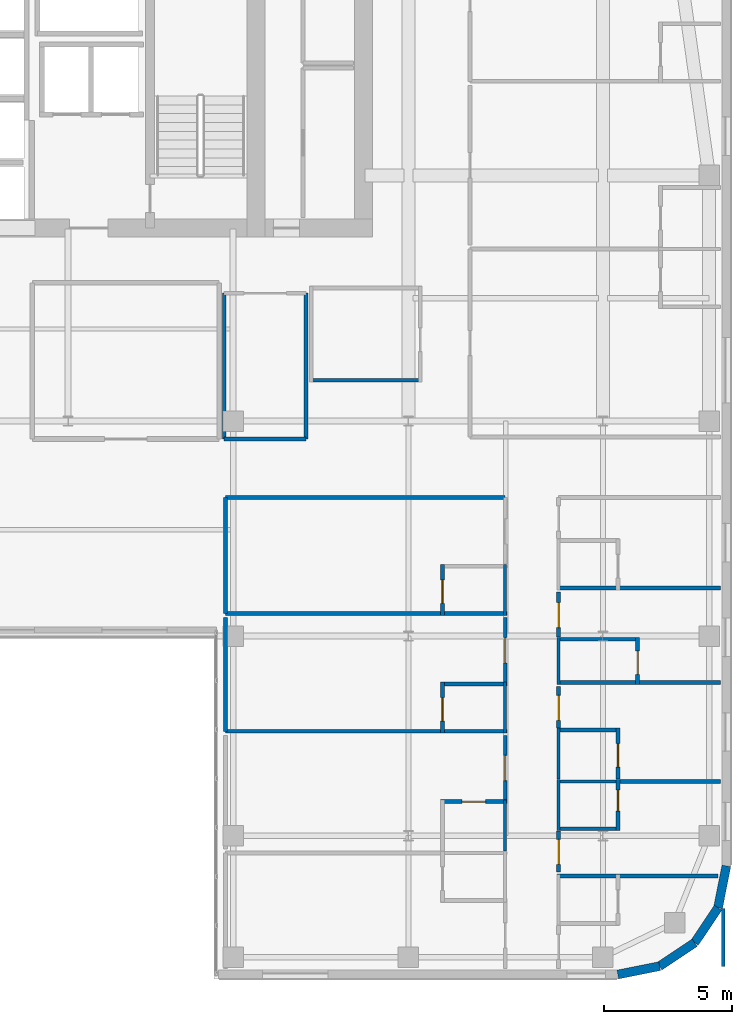
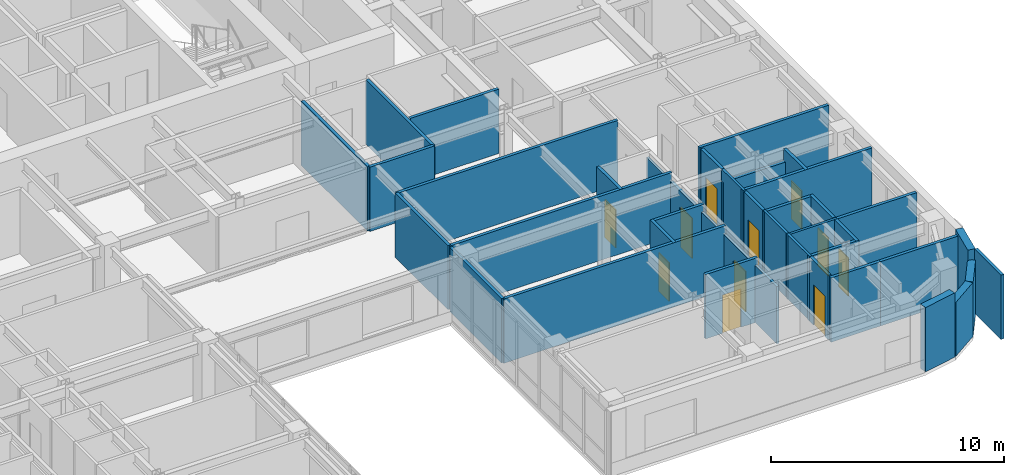
# One storey, part 12 of 21: 41 walls, 11 doors, 11 openings.
"""IFC4 building model written with IfcOpenShell, lengths in metres."""

import ifcopenshell
import ifcopenshell.guid

model = None  # the IFC model being written
_history = None  # IfcOwnerHistory: only IFC2X3 demands one
_inside = {}  # id of a spatial element -> (the spatial element, [elements in it])
_under = {}  # id of a project, library or spatial element -> (it, [spatial elements below it])
_declared = {}  # id of a project -> (the project, [libraries it declares])
_typed = {}  # id of a type object -> (the type object, [elements of that type])
_made_of = {}  # id of a material, layer set ... -> (it, [elements and type objects made of it])


def new_model(schema):
    """Start an empty IFC model of exactly this schema.

    Asked for "IFC4X3", IfcOpenShell would pick the latest addendum, in which some entities
    have other attributes; the version numbers below select the first issue.
    IFC2X3 requires an IfcOwnerHistory on every rooted entity: one is made here for all.
    """
    global model, _history
    if schema == "IFC4X3":
        model = ifcopenshell.file(schema_version=(4, 3, 0, 0))
    else:
        model = ifcopenshell.file(schema=schema)
    _inside.clear()
    _under.clear()
    _declared.clear()
    _typed.clear()
    _made_of.clear()
    _history = None
    if model.schema == "IFC2X3":
        org = make("IfcOrganization", Name="unknown")
        user = make(
            "IfcPersonAndOrganization",
            ThePerson=make("IfcPerson", FamilyName="unknown"),
            TheOrganization=org,
        )
        app = make(
            "IfcApplication",
            ApplicationDeveloper=org,
            Version="unknown",
            ApplicationFullName="unknown",
            ApplicationIdentifier="unknown",
        )
        _history = make(
            "IfcOwnerHistory",
            OwningUser=user,
            OwningApplication=app,
            ChangeAction="ADDED",
            CreationDate=0,
        )
    return model


def make(cls, **values):
    """One entity of the class cls with the attributes given. An attribute that is None is left unset."""
    return model.create_entity(
        cls, **{name: value for name, value in values.items() if value is not None}
    )


def rooted(cls, **values):
    """An entity with a GlobalId (a new one), such as an element, a storey or a relation."""
    return make(cls, GlobalId=ifcopenshell.guid.new(), OwnerHistory=_history, **values)


def si_unit(unit_type, name, prefix=None):
    """IfcSIUnit, for example si_unit("LENGTHUNIT", "METRE", prefix="MILLI")."""
    return make("IfcSIUnit", UnitType=unit_type, Prefix=prefix, Name=name)


def assignment(units):
    """IfcUnitAssignment: the units of a project."""
    return None if units is None else make("IfcUnitAssignment", Units=units)


def point(xyz):
    """IfcCartesianPoint."""
    return None if xyz is None else make("IfcCartesianPoint", Coordinates=xyz)


def direction(xyz):
    """IfcDirection."""
    return None if xyz is None else make("IfcDirection", DirectionRatios=xyz)


def frame(location, z_axis=None, x_axis=None):
    """IfcAxis2Placement3D, a coordinate frame: its origin and axes. An axis left out is left unset."""
    return make(
        "IfcAxis2Placement3D",
        Location=point(location),
        Axis=direction(z_axis),
        RefDirection=direction(x_axis),
    )


def frame_2d(location, x_axis=None):
    """IfcAxis2Placement2D, a coordinate frame in the plane: its origin and x axis."""
    return make(
        "IfcAxis2Placement2D", Location=point(location), RefDirection=direction(x_axis)
    )


def origin():
    """The frame at (0, 0, 0) with its axes left unset."""
    return frame((0.0, 0.0, 0.0))


def place(relative_to, where):
    """IfcLocalPlacement: puts the frame where relative to a parent placement (None: the world)."""
    return make(
        "IfcLocalPlacement", PlacementRelTo=relative_to, RelativePlacement=where
    )


def context(
    kind, dimensions, precision=None, world=None, true_north=None, identifier=None
):
    """IfcGeometricRepresentationContext, for example the 3D "Model" context."""
    return make(
        "IfcGeometricRepresentationContext",
        ContextIdentifier=identifier,
        ContextType=kind,
        CoordinateSpaceDimension=dimensions,
        Precision=precision,
        WorldCoordinateSystem=world,
        TrueNorth=true_north,
    )


def subcontext(parent, identifier, kind, view, scale=None):
    """IfcGeometricRepresentationSubContext, for example "Body" below "Model"."""
    return make(
        "IfcGeometricRepresentationSubContext",
        ContextIdentifier=identifier,
        ContextType=kind,
        ParentContext=parent,
        TargetScale=scale,
        TargetView=view,
    )


def project(units=None, contexts=None):
    """IfcProject with its units and contexts."""
    return rooted(
        "IfcProject",
        Name="project",
        RepresentationContexts=contexts,
        UnitsInContext=assignment(units),
    )


def spatial(cls, under=None, at=None, **own):
    """A site, building, storey or space (cls), placed at a placement, below another one or the project."""
    s = rooted(cls, ObjectPlacement=at, **own)
    if under is not None:
        _under.setdefault(under.id(), (under, []))[1].append(s)
    return s


def profile(cls, at=None, kind="AREA", **sizes):
    """A parametric profile (cls). Its sizes go by their IFC names, for example OverallWidth=200.0."""
    return make(cls, ProfileType=kind, Position=at, **sizes)


def rectangle(**sizes):
    """IfcRectangleProfileDef."""
    return profile("IfcRectangleProfileDef", **sizes)


def extrude(swept, where, along, depth):
    """IfcExtrudedAreaSolid: the profile swept, set in the frame where, extruded along a direction by depth."""
    return make(
        "IfcExtrudedAreaSolid",
        SweptArea=swept,
        Position=where,
        ExtrudedDirection=direction(along),
        Depth=depth,
    )


def shape(context_of_items, identifier, shape_type, items):
    """IfcShapeRepresentation: the items that make up one representation, for example the "Body"."""
    return make(
        "IfcShapeRepresentation",
        ContextOfItems=context_of_items,
        RepresentationIdentifier=identifier,
        RepresentationType=shape_type,
        Items=items,
    )


def source(mapping_origin, context_of_items, identifier, shape_type, items):
    """IfcRepresentationMap: a shape defined once, which mapped items show again and again."""
    return make(
        "IfcRepresentationMap",
        MappingOrigin=mapping_origin,
        MappedRepresentation=shape(context_of_items, identifier, shape_type, items),
    )


def transform(
    local_origin,
    x_axis=None,
    y_axis=None,
    z_axis=None,
    scale=None,
    scale2=None,
    scale3=None,
    uniform=True,
):
    """IfcCartesianTransformationOperator3D, or its non-uniform kind. x_axis, y_axis, z_axis: its Axis1, 2, 3."""
    if uniform:
        return make(
            "IfcCartesianTransformationOperator3D",
            Axis1=direction(x_axis),
            Axis2=direction(y_axis),
            LocalOrigin=point(local_origin),
            Scale=scale,
            Axis3=direction(z_axis),
        )
    return make(
        "IfcCartesianTransformationOperator3DnonUniform",
        Axis1=direction(x_axis),
        Axis2=direction(y_axis),
        LocalOrigin=point(local_origin),
        Scale=scale,
        Axis3=direction(z_axis),
        Scale2=scale2,
        Scale3=scale3,
    )


def mapped(mapping_source, mapping_target):
    """IfcMappedItem: shows the shape of a source again, moved by a transform."""
    return make(
        "IfcMappedItem", MappingSource=mapping_source, MappingTarget=mapping_target
    )


def material(Name=None, Category=None):
    """IfcMaterial."""
    return make("IfcMaterial", Name=Name, Category=Category)


def layer(
    of_material, thickness, ventilated=None, Name=None, Category=None, Priority=None
):
    """IfcMaterialLayer: one layer of a wall or slab, of a material (None: an air gap)."""
    return make(
        "IfcMaterialLayer",
        Material=of_material,
        LayerThickness=thickness,
        IsVentilated=ventilated,
        Name=Name,
        Category=Category,
        Priority=Priority,
    )


def layer_set(layers, Name=None):
    """IfcMaterialLayerSet."""
    return make("IfcMaterialLayerSet", MaterialLayers=layers, LayerSetName=Name)


def made_of(thing, what):
    """Note that an element or type object is made of a material, layer set ...; save() writes the relation."""
    if what is not None:
        _made_of.setdefault(what.id(), (what, []))[1].append(thing)
    return thing


def type_object(cls, material=None, **own):
    """A type object (cls), such as IfcWallType, which elements share."""
    return made_of(rooted(cls, **own), material)


def type_shapes(of_type, sources):
    """Give a type object the sources (RepresentationMaps) that its elements show as mapped items."""
    of_type.RepresentationMaps = sources


def element(
    cls,
    number,
    at=None,
    inside=None,
    cuts=None,
    type_object=None,
    material=None,
    context=None,
    identifier="Body",
    shape_type=None,
    held_by="IfcProductDefinitionShape",
    body=None,
    shapes=None,
    **own,
):
    """One element of the class cls, such as IfcWall. Its Tag is "e" and its number.

    at: its placement. inside: the storey or other place that contains it. cuts: it is an
    opening in that element (IfcRelVoidsElement). A single representation is given by context,
    identifier, shape_type and body (its items); several are given by shapes. held_by: the class
    of the entity that holds the representations. save() writes the other relations.
    """
    e = rooted(cls, Tag="e%d" % number, ObjectPlacement=at, **own)
    if body is not None:
        shapes = [shape(context, identifier, shape_type, body)]
    if shapes is not None:
        e.Representation = make(held_by, Representations=shapes)
    if inside is not None:
        _inside.setdefault(inside.id(), (inside, []))[1].append(e)
    if cuts is not None:
        rooted(
            "IfcRelVoidsElement", RelatingBuildingElement=cuts, RelatedOpeningElement=e
        )
    if type_object is not None:
        _typed.setdefault(type_object.id(), (type_object, []))[1].append(e)
    return made_of(e, material)


def fill(opening, filler):
    """IfcRelFillsElement: the door or window that sits in an opening."""
    return rooted(
        "IfcRelFillsElement",
        RelatingOpeningElement=opening,
        RelatedBuildingElement=filler,
    )


def aggregate(whole, parts):
    """IfcRelAggregates: a whole, such as a stair, and the parts it consists of."""
    return rooted("IfcRelAggregates", RelatingObject=whole, RelatedObjects=parts)


def save(model, path):
    """Write the relations noted so far, then the file.

    IfcRelAggregates (storeys below a building ...), IfcRelContainedInSpatialStructure (elements
    in a storey), IfcRelDefinesByType, IfcRelAssociatesMaterial and IfcRelDeclares: one each for
    every whole, place, type object, material and project.
    """
    for whole, parts in _under.values():
        aggregate(whole, parts)
    for where, things in _inside.values():
        rooted(
            "IfcRelContainedInSpatialStructure",
            RelatedElements=things,
            RelatingStructure=where,
        )
    for kind, things in _typed.values():
        rooted("IfcRelDefinesByType", RelatedObjects=things, RelatingType=kind)
    for what, things in _made_of.values():
        rooted("IfcRelAssociatesMaterial", RelatedObjects=things, RelatingMaterial=what)
    for by, libraries in _declared.values():
        rooted("IfcRelDeclares", RelatingContext=by, RelatedDefinitions=libraries)
    model.write(path)


model = new_model("IFC4")

# Units and contexts
model_context = context("Model", 3, precision=1e-05, world=origin(), true_north=direction((0.0, 1.0)))
body_context = subcontext(model_context, "Body", "Model", "MODEL_VIEW")
ifc_project = project(units=[si_unit("LENGTHUNIT", "METRE"), si_unit("AREAUNIT", "SQUARE_METRE"), si_unit("VOLUMEUNIT", "CUBIC_METRE"), si_unit("PLANEANGLEUNIT", "RADIAN"), si_unit("MASSUNIT", "GRAM", prefix="KILO")], contexts=[model_context])

# Site, building, storey
site_placement = place(None, origin())
site = spatial("IfcSite", under=ifc_project, at=site_placement, CompositionType="ELEMENT")
building_placement = place(site_placement, origin())
building = spatial("IfcBuilding", under=site, at=building_placement, Name="Tolvann Quenvar Hotel", CompositionType="ELEMENT")
storey_placement = place(building_placement, frame((0.0, 0.0, 161.25)))
storey = spatial("IfcBuildingStorey", under=building, at=storey_placement, Name="L42", CompositionType="ELEMENT", Elevation=161.25)

# Walls
ifc_material_1 = material(Name="Kiln-fired red and buff architectural clay brickwork and terracotta masonry", Category="masonry")
ifc_layer_1 = layer(ifc_material_1, 0.35009765625)
ifc_layer_set_1 = layer_set([ifc_layer_1], Name="Kiln-fired red and buff architectural clay brickwork and terracotta masonry")
wall_type_1 = type_object("IfcWallType", Name="WALL_EXT_BRICK_350", PredefinedType="SOLIDWALL", material=ifc_layer_set_1)
wall_1_placement = place(storey_placement, frame((49.98291015625, 2.77490234375, 0.0), z_axis=(0.0, 0.0, 1.0), x_axis=(0.980788844421, 0.195072403631, 0.0)))
element("IfcWall", 1, at=wall_1_placement, inside=storey, type_object=wall_type_1, Name="Exterior Chicago Brick Wall L42-E09", PredefinedType="SOLIDWALL", context=body_context, shape_type="SweptSolid", body=[
    extrude(rectangle(XDim=1.66455078125, YDim=0.35009765625, at=frame_2d((0.832275390625, 0.0))), origin(), (0.0, 0.0, 1.0), 3.3701171875),
])
for number, where, z_axis, x_axis, name in (
    (2, (51.615478515625, 3.099609375, 0.0), (0.0, 0.0, 1.0), (0.831434158098, 0.555623290322, 0.0), "Exterior Chicago Brick Wall L42-E10"),
    (3, (52.985107421875, 4.014892578125, 0.0), (0.0, 0.0, 1.0), (0.555623290322, 0.831434158098, 0.0), "Exterior Chicago Brick Wall L42-E11"),
):
    element("IfcWall", number, at=place(storey_placement, frame(where, z_axis=z_axis, x_axis=x_axis)), inside=storey, type_object=wall_type_1, Name=name, PredefinedType="SOLIDWALL", context=body_context, shape_type="SweptSolid", body=[
        extrude(rectangle(XDim=1.647216796875, YDim=0.35009765625, at=frame_2d((0.82373046875, 0.0))), origin(), (0.0, 0.0, 1.0), 2.83203125),
    ])
wall_2_placement = place(storey_placement, frame((53.900390625, 5.384521484375, 0.0), z_axis=(0.0, 0.0, 1.0), x_axis=(0.195072403631, 0.980788844421, 0.0)))
element("IfcWall", 4, at=wall_2_placement, inside=storey, type_object=wall_type_1, Name="Exterior Chicago Brick Wall L42-E12", PredefinedType="SOLIDWALL", context=body_context, shape_type="SweptSolid", body=[
    extrude(rectangle(XDim=1.66455078125, YDim=0.35009765625, at=frame_2d((0.832275390625, 0.0))), origin(), (0.0, 0.0, 1.0), 3.3701171875),
])
ifc_material_2 = material(Name="Moisture-resistant acoustic plumbing wall assembly")
ifc_layer_2 = layer(ifc_material_2, 0.1201171875)
ifc_layer_set_2 = layer_set([ifc_layer_2], Name="Moisture-resistant acoustic plumbing wall assembly")
wall_type_2 = type_object("IfcWallType", Name="WALL_PART_BATH_120", PredefinedType="PLUMBINGWALL", material=ifc_layer_set_2)
for number, where, z_axis, x_axis, name in (
    (5, (45.580078125, 7.610107421875, 0.0), (0.0, 0.0, 1.0), (0.0, 1.0, 0.0), "Non-Rated Plumbing Partition PT-SPC-L42-ENS-EI02-E"),
    (6, (45.580078125, 12.2099609375, 0.0), (0.0, 0.0, 1.0), (0.0, 1.0, 0.0), "Non-Rated Plumbing Partition PT-SPC-L42-ENS-EI03-E"),
    (7, (45.580078125, 16.81005859375, 0.0), (0.0, 0.0, 1.0), (0.0, 1.0, 0.0), "Non-Rated Plumbing Partition PT-SPC-L42-ENS-EI04-E"),
):
    element("IfcWall", number, at=place(storey_placement, frame(where, z_axis=z_axis, x_axis=x_axis)), inside=storey, type_object=wall_type_2, Name=name, PredefinedType="PLUMBINGWALL", context=body_context, shape_type="SweptSolid", body=[
        extrude(rectangle(XDim=1.989990234375, YDim=0.1201171875, at=frame_2d((0.9951171875, 0.0))), origin(), (0.0, 0.0, 1.0), 3.0009765625),
    ])
wall_3_placement = place(storey_placement, frame((47.60009765625, 10.320068359375, 0.0), z_axis=(0.0, 0.0, 1.0), x_axis=(1.0, 0.0, 0.0)))
element("IfcWall", 8, at=wall_3_placement, inside=storey, type_object=wall_type_2, Name="Non-Rated Plumbing Partition PT-SPC-L42-ENS-EO02-N", PredefinedType="PLUMBINGWALL", context=body_context, shape_type="SweptSolid", body=[
    extrude(rectangle(XDim=2.454833984375, YDim=0.1201171875, at=frame_2d((1.2275390625, 0.0))), origin(), (0.0, 0.0, 1.0), 3.3701171875),
])
for number, where, z_axis, x_axis, name in (
    (9, (47.669921875, 8.39990234375, 0.0), (0.0, 0.0, 1.0), (0.0, 1.0, 0.0), "Non-Rated Plumbing Partition PT-SPC-L42-ENS-EO02-W"),
    (10, (47.669921875, 10.409912109375, 0.0), (0.0, 0.0, 1.0), (0.0, 1.0, 0.0), "Non-Rated Plumbing Partition PT-SPC-L42-ENS-EO03-W"),
):
    element("IfcWall", number, at=place(storey_placement, frame(where, z_axis=z_axis, x_axis=x_axis)), inside=storey, type_object=wall_type_2, Name=name, PredefinedType="PLUMBINGWALL", context=body_context, shape_type="SweptSolid", body=[
        extrude(rectangle(XDim=1.989990234375, YDim=0.1201171875, at=frame_2d((0.9951171875, 0.0))), origin(), (0.0, 0.0, 1.0), 3.3701171875),
    ])
wall_4_placement = place(storey_placement, frame((47.669921875, 14.110107421875, 0.0), z_axis=(0.0, 0.0, 1.0), x_axis=(0.0, 1.0, 0.0)))
element("IfcWall", 11, at=wall_4_placement, inside=storey, type_object=wall_type_2, Name="Non-Rated Plumbing Partition PT-SPC-L42-ENS-EO04-W", PredefinedType="PLUMBINGWALL", context=body_context, shape_type="SweptSolid", body=[
    extrude(rectangle(XDim=1.8388671875, YDim=0.1201171875, at=frame_2d((0.91943359375, 0.0))), origin(), (0.0, 0.0, 1.0), 3.3701171875),
])

# Wall, opening, door
ifc_material_3 = material(Name="Acoustic twin-stud fire-rated gypsum plasterboard partition")
ifc_layer_3 = layer(ifc_material_3, 0.14990234375)
ifc_layer_set_3 = layer_set([ifc_layer_3], Name="Acoustic twin-stud fire-rated gypsum plasterboard partition")
wall_type_3 = type_object("IfcWallType", Name="WALL_PART_SUITE_150", PredefinedType="PARTITIONING", material=ifc_layer_set_3)
wall_5_placement = place(storey_placement, frame((43.06005859375, 9.530029296875, 0.0), z_axis=(0.0, 0.0, 1.0), x_axis=(1.0, 0.0, 0.0)))
wall_5 = element("IfcWall", 12, at=wall_5_placement, inside=storey, type_object=wall_type_3, Name="Interior Partition PT-SPC-L42-ENS-EI02-N", PredefinedType="PARTITIONING", context=body_context, shape_type="SweptSolid", body=[
    extrude(rectangle(XDim=2.58984375, YDim=0.14990234375, at=frame_2d((1.294921875, 0.0))), origin(), (0.0, 0.0, 1.0), 3.3701171875),
])
opening_1_placement = place(wall_5_placement, frame((0.8349609375, 0.0, 0.0)))
opening_1 = element("IfcOpeningElement", 13, at=opening_1_placement, cuts=wall_5, Name="Opening WD-01", PredefinedType="OPENING", context=body_context, shape_type="SweptSolid", body=[
    extrude(rectangle(XDim=0.919921875, YDim=2.010009765625, at=frame_2d((0.4599609375, 1.0048828125))), frame((0.0, 0.0849609375, 0.0), z_axis=(0.0, -1.0, 0.0), x_axis=(1.0, 0.0, 0.0)), (0.0, 0.0, 1.0), 0.169921875),
])
ifc_material_4 = material(Name="Solid-core American oak acoustic fire door leaf in steel frame", Category="steel")
door_type_1 = type_object("IfcDoorType", Name="DOOR_WC_920", OperationType="NOTDEFINED", PredefinedType="DOOR", material=ifc_material_4)
shared_shape_1 = source(origin(), body_context, "Body", "SweptSolid", [
    extrude(rectangle(XDim=0.919921875, YDim=2.010009765625, at=frame_2d((0.4599609375, 1.0048828125))), frame((0.0, 0.02490234375, 0.0), z_axis=(0.0, -1.0, 0.0), x_axis=(1.0, 0.0, 0.0)), (0.0, 0.0, 1.0), 0.050048828125),
])
type_shapes(door_type_1, [shared_shape_1])
door_1_placement = place(opening_1_placement, origin())
door_1 = element("IfcDoor", 14, at=door_1_placement, inside=storey, type_object=door_type_1, Name="Interior Door DOOR-SPC-L42-ENS-EI02", OperationType="SINGLE_SWING_RIGHT", OverallHeight=2.010009765625, OverallWidth=0.919921875, PredefinedType="DOOR", context=body_context, shape_type="MappedRepresentation", body=[
    mapped(shared_shape_1, transform((0.0, 0.0, 0.0), x_axis=(1.0, 0.0, 0.0), y_axis=(0.0, 1.0, 0.0), z_axis=(0.0, 0.0, 1.0), scale=1.0)),
])
fill(opening_1, door_1)

wall_6_placement = place(storey_placement, frame((43.1298828125, 12.2099609375, 0.0), z_axis=(0.0, 0.0, 1.0), x_axis=(0.0, 1.0, 0.0)))
wall_6 = element("IfcWall", 15, at=wall_6_placement, inside=storey, type_object=wall_type_3, Name="Interior Partition PT-SPC-L42-ENS-EI03-ENT", PredefinedType="PARTITIONING", context=body_context, shape_type="SweptSolid", body=[
    extrude(rectangle(XDim=1.989990234375, YDim=0.14990234375, at=frame_2d((0.9951171875, 0.0))), origin(), (0.0, 0.0, 1.0), 3.3701171875),
])
opening_2_placement = place(wall_6_placement, frame((0.465087890625, 0.0, 0.0)))
opening_2 = element("IfcOpeningElement", 16, at=opening_2_placement, cuts=wall_6, Name="Opening WD-01", PredefinedType="OPENING", context=body_context, shape_type="SweptSolid", body=[
    extrude(rectangle(XDim=0.919921875, YDim=2.010009765625, at=frame_2d((0.4599609375, 1.0048828125))), frame((0.0, 0.0849609375, 0.0), z_axis=(0.0, -1.0, 0.0), x_axis=(1.0, 0.0, 0.0)), (0.0, 0.0, 1.0), 0.169921875),
])
door_2_placement = place(opening_2_placement, origin())
door_2 = element("IfcDoor", 17, at=door_2_placement, inside=storey, type_object=door_type_1, Name="Interior Door DOOR-SPC-L42-ENS-EI03", OperationType="SINGLE_SWING_LEFT", OverallHeight=2.010009765625, OverallWidth=0.919921875, PredefinedType="DOOR", context=body_context, shape_type="MappedRepresentation", body=[
    mapped(shared_shape_1, transform((0.0, 0.0, 0.0), x_axis=(1.0, 0.0, 0.0), y_axis=(0.0, 1.0, 0.0), z_axis=(0.0, 0.0, 1.0), scale=1.0)),
])
fill(opening_2, door_2)

# Walls
wall_7_placement = place(storey_placement, frame((34.64990234375, 12.280029296875, 0.0), z_axis=(0.0, 0.0, 1.0), x_axis=(1.0, 0.0, 0.0)))
element("IfcWall", 18, at=wall_7_placement, inside=storey, type_object=wall_type_3, Name="Interior Partition PT-SPC-L42-ENS-EI03-S", PredefinedType="PARTITIONING", context=body_context, shape_type="SweptSolid", body=[
    extrude(rectangle(XDim=11.0, YDim=0.14990234375, at=frame_2d((5.5, 0.0))), origin(), (0.0, 0.0, 1.0), 3.3701171875),
])
wall_8_placement = place(storey_placement, frame((43.06005859375, 14.1298828125, 0.0), z_axis=(0.0, 0.0, 1.0), x_axis=(1.0, 0.0, 0.0)))
element("IfcWall", 19, at=wall_8_placement, inside=storey, type_object=wall_type_3, Name="Interior Partition PT-SPC-L42-ENS-EI03-N", PredefinedType="PARTITIONING", context=body_context, shape_type="SweptSolid", body=[
    extrude(rectangle(XDim=2.58984375, YDim=0.14990234375, at=frame_2d((1.294921875, 0.0))), origin(), (0.0, 0.0, 1.0), 3.3701171875),
])

# Wall, opening, door
wall_9_placement = place(storey_placement, frame((43.1298828125, 16.81005859375, 0.0), z_axis=(0.0, 0.0, 1.0), x_axis=(0.0, 1.0, 0.0)))
wall_9 = element("IfcWall", 20, at=wall_9_placement, inside=storey, type_object=wall_type_3, Name="Interior Partition PT-SPC-L42-ENS-EI04-ENT", PredefinedType="PARTITIONING", context=body_context, shape_type="SweptSolid", body=[
    extrude(rectangle(XDim=1.989990234375, YDim=0.14990234375, at=frame_2d((0.9951171875, 0.0))), origin(), (0.0, 0.0, 1.0), 3.3701171875),
])
opening_3_placement = place(wall_9_placement, frame((0.465087890625, 0.0, 0.0)))
opening_3 = element("IfcOpeningElement", 21, at=opening_3_placement, cuts=wall_9, Name="Opening WD-01", PredefinedType="OPENING", context=body_context, shape_type="SweptSolid", body=[
    extrude(rectangle(XDim=0.919921875, YDim=2.010009765625, at=frame_2d((0.4599609375, 1.0048828125))), frame((0.0, 0.0849609375, 0.0), z_axis=(0.0, -1.0, 0.0), x_axis=(1.0, 0.0, 0.0)), (0.0, 0.0, 1.0), 0.169921875),
])
door_3_placement = place(opening_3_placement, origin())
door_3 = element("IfcDoor", 22, at=door_3_placement, inside=storey, type_object=door_type_1, Name="Interior Door DOOR-SPC-L42-ENS-EI04", OperationType="SINGLE_SWING_RIGHT", OverallHeight=2.010009765625, OverallWidth=0.919921875, PredefinedType="DOOR", context=body_context, shape_type="MappedRepresentation", body=[
    mapped(shared_shape_1, transform((0.0, 0.0, 0.0), x_axis=(1.0, 0.0, 0.0), y_axis=(0.0, 1.0, 0.0), z_axis=(0.0, 0.0, 1.0), scale=1.0)),
])
fill(opening_3, door_3)

# Walls
wall_10_placement = place(storey_placement, frame((34.64990234375, 16.8798828125, 0.0), z_axis=(0.0, 0.0, 1.0), x_axis=(1.0, 0.0, 0.0)))
element("IfcWall", 23, at=wall_10_placement, inside=storey, type_object=wall_type_3, Name="Interior Partition PT-SPC-L42-ENS-EI04-S", PredefinedType="PARTITIONING", context=body_context, shape_type="SweptSolid", body=[
    extrude(rectangle(XDim=11.0, YDim=0.14990234375, at=frame_2d((5.5, 0.0))), origin(), (0.0, 0.0, 1.0), 3.3701171875),
])
wall_11_placement = place(storey_placement, frame((47.60009765625, 6.6201171875, 0.0), z_axis=(0.0, 0.0, 1.0), x_axis=(1.0, 0.0, 0.0)))
element("IfcWall", 24, at=wall_11_placement, inside=storey, type_object=wall_type_3, Name="Interior Partition PT-SPC-L42-ENS-EO01-N", PredefinedType="PARTITIONING", context=body_context, shape_type="SweptSolid", body=[
    extrude(rectangle(XDim=2.454833984375, YDim=0.14990234375, at=frame_2d((1.2275390625, 0.0))), origin(), (0.0, 0.0, 1.0), 3.3701171875),
])

# Wall, opening, door
wall_12_placement = place(storey_placement, frame((49.985107421875, 8.39990234375, 0.0), z_axis=(0.0, 0.0, 1.0), x_axis=(0.0, 1.0, 0.0)))
wall_12 = element("IfcWall", 25, at=wall_12_placement, inside=storey, type_object=wall_type_3, Name="Interior Partition PT-SPC-L42-ENS-EO02-ENT", PredefinedType="PARTITIONING", context=body_context, shape_type="SweptSolid", body=[
    extrude(rectangle(XDim=1.989990234375, YDim=0.14990234375, at=frame_2d((0.9951171875, 0.0))), origin(), (0.0, 0.0, 1.0), 3.3701171875),
])
opening_4_placement = place(wall_12_placement, frame((0.760009765625, 0.0, 0.0)))
opening_4 = element("IfcOpeningElement", 26, at=opening_4_placement, cuts=wall_12, Name="Opening HD-02", PredefinedType="OPENING", context=body_context, shape_type="SweptSolid", body=[
    extrude(rectangle(XDim=0.820068359375, YDim=2.010009765625, at=frame_2d((0.41015625, 1.0048828125))), frame((0.0, 0.0849609375, 0.0), z_axis=(0.0, -1.0, 0.0), x_axis=(1.0, 0.0, 0.0)), (0.0, 0.0, 1.0), 0.169921875),
])
ifc_material_5 = material(Name="Pressed galvanised steel fire-rated door set", Category="steel")
door_type_2 = type_object("IfcDoorType", Name="DOOR_STORE_820", OperationType="NOTDEFINED", PredefinedType="DOOR", material=ifc_material_5)
shared_shape_2 = source(origin(), body_context, "Body", "SweptSolid", [
    extrude(rectangle(XDim=0.820068359375, YDim=2.010009765625, at=frame_2d((0.41015625, 1.0048828125))), frame((0.0, 0.02490234375, 0.0), z_axis=(0.0, -1.0, 0.0), x_axis=(1.0, 0.0, 0.0)), (0.0, 0.0, 1.0), 0.050048828125),
])
type_shapes(door_type_2, [shared_shape_2])
door_4_placement = place(opening_4_placement, origin())
door_4 = element("IfcDoor", 27, at=door_4_placement, inside=storey, type_object=door_type_2, Name="Interior Door DOOR-SPC-L42-ENS-EO02", OperationType="SINGLE_SWING_RIGHT", OverallHeight=2.010009765625, OverallWidth=0.820068359375, PredefinedType="DOOR", context=body_context, shape_type="MappedRepresentation", body=[
    mapped(shared_shape_2, transform((0.0, 0.0, 0.0), x_axis=(1.0, 0.0, 0.0), y_axis=(0.0, 1.0, 0.0), z_axis=(0.0, 0.0, 1.0), scale=1.0)),
])
fill(opening_4, door_4)

# Wall
wall_13_placement = place(storey_placement, frame((47.60009765625, 8.469970703125, 0.0), z_axis=(0.0, 0.0, 1.0), x_axis=(1.0, 0.0, 0.0)))
element("IfcWall", 28, at=wall_13_placement, inside=storey, type_object=wall_type_3, Name="Interior Partition PT-SPC-L42-ENS-EO02-S", PredefinedType="PARTITIONING", context=body_context, shape_type="SweptSolid", body=[
    extrude(rectangle(XDim=2.454833984375, YDim=0.14990234375, at=frame_2d((1.2275390625, 0.0))), origin(), (0.0, 0.0, 1.0), 3.3701171875),
])

# Wall, opening, door
wall_14_placement = place(storey_placement, frame((49.985107421875, 10.409912109375, 0.0), z_axis=(0.0, 0.0, 1.0), x_axis=(0.0, 1.0, 0.0)))
wall_14 = element("IfcWall", 29, at=wall_14_placement, inside=storey, type_object=wall_type_3, Name="Interior Partition PT-SPC-L42-ENS-EO03-ENT", PredefinedType="PARTITIONING", context=body_context, shape_type="SweptSolid", body=[
    extrude(rectangle(XDim=1.989990234375, YDim=0.14990234375, at=frame_2d((0.9951171875, 0.0))), origin(), (0.0, 0.0, 1.0), 3.3701171875),
])
opening_5_placement = place(wall_14_placement, frame((0.465087890625, 0.0, 0.0)))
opening_5 = element("IfcOpeningElement", 30, at=opening_5_placement, cuts=wall_14, Name="Opening WD-01", PredefinedType="OPENING", context=body_context, shape_type="SweptSolid", body=[
    extrude(rectangle(XDim=0.919921875, YDim=2.010009765625, at=frame_2d((0.4599609375, 1.0048828125))), frame((0.0, 0.0849609375, 0.0), z_axis=(0.0, -1.0, 0.0), x_axis=(1.0, 0.0, 0.0)), (0.0, 0.0, 1.0), 0.169921875),
])
door_5_placement = place(opening_5_placement, origin())
door_5 = element("IfcDoor", 31, at=door_5_placement, inside=storey, type_object=door_type_1, Name="Interior Door DOOR-SPC-L42-ENS-EO03", OperationType="SINGLE_SWING_LEFT", OverallHeight=2.010009765625, OverallWidth=0.919921875, PredefinedType="DOOR", context=body_context, shape_type="MappedRepresentation", body=[
    mapped(shared_shape_1, transform((0.0, 0.0, 0.0), x_axis=(1.0, 0.0, 0.0), y_axis=(0.0, 1.0, 0.0), z_axis=(0.0, 0.0, 1.0), scale=1.0)),
])
fill(opening_5, door_5)

# Wall
wall_15_placement = place(storey_placement, frame((47.60009765625, 12.330078125, 0.0), z_axis=(0.0, 0.0, 1.0), x_axis=(1.0, 0.0, 0.0)))
element("IfcWall", 32, at=wall_15_placement, inside=storey, type_object=wall_type_3, Name="Interior Partition PT-SPC-L42-ENS-EO03-N", PredefinedType="PARTITIONING", context=body_context, shape_type="SweptSolid", body=[
    extrude(rectangle(XDim=2.454833984375, YDim=0.14990234375, at=frame_2d((1.2275390625, 0.0))), origin(), (0.0, 0.0, 1.0), 3.3701171875),
])

# Wall, opening, door
wall_16_placement = place(storey_placement, frame((50.756103515625, 14.110107421875, 0.0), z_axis=(0.0, 0.0, 1.0), x_axis=(0.0, 1.0, 0.0)))
wall_16 = element("IfcWall", 33, at=wall_16_placement, inside=storey, type_object=wall_type_3, Name="Interior Partition PT-SPC-L42-ENS-EO04-ENT", PredefinedType="PARTITIONING", context=body_context, shape_type="SweptSolid", body=[
    extrude(rectangle(XDim=1.8388671875, YDim=0.14990234375, at=frame_2d((0.91943359375, 0.0))), origin(), (0.0, 0.0, 1.0), 3.3701171875),
])
opening_6_placement = place(wall_16_placement, frame((0.389404296875, 0.0, 0.0)))
opening_6 = element("IfcOpeningElement", 34, at=opening_6_placement, cuts=wall_16, Name="Opening WD-01", PredefinedType="OPENING", context=body_context, shape_type="SweptSolid", body=[
    extrude(rectangle(XDim=0.919921875, YDim=2.010009765625, at=frame_2d((0.4599609375, 1.0048828125))), frame((0.0, 0.0849609375, 0.0), z_axis=(0.0, -1.0, 0.0), x_axis=(1.0, 0.0, 0.0)), (0.0, 0.0, 1.0), 0.169921875),
])
door_6_placement = place(opening_6_placement, origin())
door_6 = element("IfcDoor", 35, at=door_6_placement, inside=storey, type_object=door_type_1, Name="Interior Door DOOR-SPC-L42-ENS-EO04", OperationType="SINGLE_SWING_RIGHT", OverallHeight=2.010009765625, OverallWidth=0.919921875, PredefinedType="DOOR", context=body_context, shape_type="MappedRepresentation", body=[
    mapped(shared_shape_1, transform((0.0, 0.0, 0.0), x_axis=(1.0, 0.0, 0.0), y_axis=(0.0, 1.0, 0.0), z_axis=(0.0, 0.0, 1.0), scale=1.0)),
])
fill(opening_6, door_6)

# Walls
wall_17_placement = place(storey_placement, frame((47.60009765625, 14.179931640625, 0.0), z_axis=(0.0, 0.0, 1.0), x_axis=(1.0, 0.0, 0.0)))
element("IfcWall", 36, at=wall_17_placement, inside=storey, type_object=wall_type_3, Name="Interior Partition PT-SPC-L42-ENS-EO04-S", PredefinedType="PARTITIONING", context=body_context, shape_type="SweptSolid", body=[
    extrude(rectangle(XDim=6.39501953125, YDim=0.14990234375, at=frame_2d((3.197509765625, 0.0))), origin(), (0.0, 0.0, 1.0), 3.3701171875),
])
wall_18_placement = place(storey_placement, frame((47.60009765625, 15.87890625, 0.0), z_axis=(0.0, 0.0, 1.0), x_axis=(1.0, 0.0, 0.0)))
element("IfcWall", 37, at=wall_18_placement, inside=storey, type_object=wall_type_3, Name="Interior Partition PT-SPC-L42-ENS-EO04-N", PredefinedType="PARTITIONING", context=body_context, shape_type="SweptSolid", body=[
    extrude(rectangle(XDim=3.225830078125, YDim=0.14990234375, at=frame_2d((1.61279296875, 0.0))), origin(), (0.0, 0.0, 1.0), 2.758056640625),
])
wall_19_placement = place(storey_placement, frame((47.60009765625, 17.8798828125, 0.0), z_axis=(0.0, 0.0, 1.0), x_axis=(1.0, 0.0, 0.0)))
element("IfcWall", 38, at=wall_19_placement, inside=storey, type_object=wall_type_3, Name="Interior Partition PT-SPC-L42-ENS-EO05-S", PredefinedType="PARTITIONING", context=body_context, shape_type="SweptSolid", body=[
    extrude(rectangle(XDim=6.39501953125, YDim=0.14990234375, at=frame_2d((3.197509765625, 0.0))), origin(), (0.0, 0.0, 1.0), 3.3701171875),
])

# Wall, opening, door
wall_20_placement = place(storey_placement, frame((45.580078125, 9.610107421875, 0.0), z_axis=(0.0, 0.0, 1.0), x_axis=(0.0, 1.0, 0.0)))
wall_20 = element("IfcWall", 39, at=wall_20_placement, inside=storey, type_object=wall_type_3, Name="Interior Partition PT-SPC-L42-RM-EI02-ENT", PredefinedType="PARTITIONING", context=body_context, shape_type="SweptSolid", body=[
    extrude(rectangle(XDim=2.510009765625, YDim=0.14990234375, at=frame_2d((1.2548828125, 0.0))), origin(), (0.0, 0.0, 1.0), 3.0009765625),
])
opening_7_placement = place(wall_20_placement, frame((0.7451171875, 0.0, 0.0)))
opening_7 = element("IfcOpeningElement", 40, at=opening_7_placement, cuts=wall_20, Name="Opening SD-01", PredefinedType="OPENING", context=body_context, shape_type="SweptSolid", body=[
    extrude(rectangle(XDim=0.97998046875, YDim=2.1201171875, at=frame_2d((0.489990234375, 1.06005859375))), frame((0.0, 0.0849609375, 0.0), z_axis=(0.0, -1.0, 0.0), x_axis=(1.0, 0.0, 0.0)), (0.0, 0.0, 1.0), 0.169921875),
])
door_type_3 = type_object("IfcDoorType", Name="DOOR_SUITE_980", OperationType="NOTDEFINED", PredefinedType="DOOR", material=ifc_material_4)
shared_shape_3 = source(origin(), body_context, "Body", "SweptSolid", [
    extrude(rectangle(XDim=0.97998046875, YDim=2.1201171875, at=frame_2d((0.489990234375, 1.06005859375))), frame((0.0, 0.02490234375, 0.0), z_axis=(0.0, -1.0, 0.0), x_axis=(1.0, 0.0, 0.0)), (0.0, 0.0, 1.0), 0.050048828125),
])
type_shapes(door_type_3, [shared_shape_3])
door_7_placement = place(opening_7_placement, origin())
door_7 = element("IfcDoor", 41, at=door_7_placement, inside=storey, type_object=door_type_3, Name="Interior Door DOOR-SPC-L42-RM-EI02", OperationType="SINGLE_SWING_LEFT", OverallHeight=2.1201171875, OverallWidth=0.97998046875, PredefinedType="DOOR", context=body_context, shape_type="MappedRepresentation", body=[
    mapped(shared_shape_3, transform((0.0, 0.0, 0.0), x_axis=(1.0, 0.0, 0.0), y_axis=(0.0, 1.0, 0.0), z_axis=(0.0, 0.0, 1.0), scale=1.0)),
])
fill(opening_7, door_7)

wall_21_placement = place(storey_placement, frame((45.580078125, 14.2099609375, 0.0), z_axis=(0.0, 0.0, 1.0), x_axis=(0.0, 1.0, 0.0)))
wall_21 = element("IfcWall", 42, at=wall_21_placement, inside=storey, type_object=wall_type_3, Name="Interior Partition PT-SPC-L42-RM-EI03-ENT", PredefinedType="PARTITIONING", context=body_context, shape_type="SweptSolid", body=[
    extrude(rectangle(XDim=2.510009765625, YDim=0.14990234375, at=frame_2d((1.2548828125, 0.0))), origin(), (0.0, 0.0, 1.0), 3.0009765625),
])
opening_8_placement = place(wall_21_placement, frame((0.7451171875, 0.0, 0.0)))
opening_8 = element("IfcOpeningElement", 43, at=opening_8_placement, cuts=wall_21, Name="Opening SD-01", PredefinedType="OPENING", context=body_context, shape_type="SweptSolid", body=[
    extrude(rectangle(XDim=0.97998046875, YDim=2.1201171875, at=frame_2d((0.489990234375, 1.06005859375))), frame((0.0, 0.0849609375, 0.0), z_axis=(0.0, -1.0, 0.0), x_axis=(1.0, 0.0, 0.0)), (0.0, 0.0, 1.0), 0.169921875),
])
door_8_placement = place(opening_8_placement, origin())
door_8 = element("IfcDoor", 44, at=door_8_placement, inside=storey, type_object=door_type_3, Name="Interior Door DOOR-SPC-L42-RM-EI03", OperationType="SINGLE_SWING_RIGHT", OverallHeight=2.1201171875, OverallWidth=0.97998046875, PredefinedType="DOOR", context=body_context, shape_type="MappedRepresentation", body=[
    mapped(shared_shape_3, transform((0.0, 0.0, 0.0), x_axis=(1.0, 0.0, 0.0), y_axis=(0.0, 1.0, 0.0), z_axis=(0.0, 0.0, 1.0), scale=1.0)),
])
fill(opening_8, door_8)

# Walls
wall_22_placement = place(storey_placement, frame((34.64990234375, 12.280029296875, 0.0), z_axis=(0.0, 0.0, 1.0), x_axis=(0.0, 1.0, 0.0)))
element("IfcWall", 45, at=wall_22_placement, inside=storey, type_object=wall_type_3, Name="Interior Partition PT-SPC-L42-RM-EI03-E6", PredefinedType="PARTITIONING", context=body_context, shape_type="SweptSolid", body=[
    extrude(rectangle(XDim=4.43994140625, YDim=0.14990234375, at=frame_2d((2.219970703125, 0.0))), origin(), (0.0, 0.0, 1.0), 3.3701171875),
])
wall_23_placement = place(storey_placement, frame((34.64990234375, 21.419921875, 0.0), z_axis=(0.0, 0.0, 1.0), x_axis=(1.0, 0.0, 0.0)))
element("IfcWall", 46, at=wall_23_placement, inside=storey, type_object=wall_type_3, Name="Interior Partition PT-SPC-L42-RM-EI04-E5", PredefinedType="PARTITIONING", context=body_context, shape_type="SweptSolid", body=[
    extrude(rectangle(XDim=10.93017578125, YDim=0.14990234375, at=frame_2d((5.465087890625, 0.0))), origin(), (0.0, 0.0, 1.0), 3.3701171875),
])
wall_24_placement = place(storey_placement, frame((34.64990234375, 16.8798828125, 0.0), z_axis=(0.0, 0.0, 1.0), x_axis=(0.0, 1.0, 0.0)))
element("IfcWall", 47, at=wall_24_placement, inside=storey, type_object=wall_type_3, Name="Interior Partition PT-SPC-L42-RM-EI04-E6", PredefinedType="PARTITIONING", context=body_context, shape_type="SweptSolid", body=[
    extrude(rectangle(XDim=4.5400390625, YDim=0.14990234375, at=frame_2d((2.27001953125, 0.0))), origin(), (0.0, 0.0, 1.0), 3.3701171875),
])
wall_25_placement = place(storey_placement, frame((54.10009765625, 3.080078125, 0.0), z_axis=(0.0, 0.0, 1.0), x_axis=(0.0, 1.0, 0.0)))
element("IfcWall", 48, at=wall_25_placement, inside=storey, type_object=wall_type_3, Name="Interior Partition PT-SPC-L42-RM-EO01-E2", PredefinedType="PARTITIONING", context=body_context, shape_type="SweptSolid", body=[
    extrude(rectangle(XDim=2.264892578125, YDim=0.14990234375, at=frame_2d((1.13232421875, 0.0))), origin(), (0.0, 0.0, 1.0), 3.3701171875),
])
wall_26_placement = place(storey_placement, frame((50.0048828125, 6.6201171875, 0.0), z_axis=(0.0, 0.0, 1.0), x_axis=(1.0, 0.0, 0.0)))
element("IfcWall", 49, at=wall_26_placement, inside=storey, type_object=wall_type_3, Name="Interior Partition PT-SPC-L42-RM-EO01-E3", PredefinedType="PARTITIONING", context=body_context, shape_type="SweptSolid", body=[
    extrude(rectangle(XDim=3.883056640625, YDim=0.14990234375, at=frame_2d((1.94140625, 0.0))), origin(), (0.0, 0.0, 1.0), 3.3701171875),
])

# Wall, opening, door
wall_27_placement = place(storey_placement, frame((47.669921875, 6.780029296875, 0.0), z_axis=(0.0, 0.0, 1.0), x_axis=(0.0, 1.0, 0.0)))
wall_27 = element("IfcWall", 50, at=wall_27_placement, inside=storey, type_object=wall_type_3, Name="Interior Partition PT-SPC-L42-RM-EO02-ENT", PredefinedType="PARTITIONING", context=body_context, shape_type="SweptSolid", body=[
    extrude(rectangle(XDim=1.60986328125, YDim=0.14990234375, at=frame_2d((0.804931640625, 0.0))), origin(), (0.0, 0.0, 1.0), 3.3701171875),
])
opening_9_placement = place(wall_27_placement, frame((0.294921875, 0.0, 0.0)))
opening_9 = element("IfcOpeningElement", 51, at=opening_9_placement, cuts=wall_27, Name="Opening SD-01", PredefinedType="OPENING", context=body_context, shape_type="SweptSolid", body=[
    extrude(rectangle(XDim=0.97998046875, YDim=2.1201171875, at=frame_2d((0.489990234375, 1.06005859375))), frame((0.0, 0.0849609375, 0.0), z_axis=(0.0, -1.0, 0.0), x_axis=(1.0, 0.0, 0.0)), (0.0, 0.0, 1.0), 0.169921875),
])
door_9_placement = place(opening_9_placement, origin())
door_9 = element("IfcDoor", 52, at=door_9_placement, inside=storey, type_object=door_type_3, Name="Interior Door DOOR-SPC-L42-RM-EO02", OperationType="SINGLE_SWING_LEFT", OverallHeight=2.1201171875, OverallWidth=0.97998046875, PredefinedType="DOOR", context=body_context, shape_type="MappedRepresentation", body=[
    mapped(shared_shape_3, transform((0.0, 0.0, 0.0), x_axis=(1.0, 0.0, 0.0), y_axis=(0.0, 1.0, 0.0), z_axis=(0.0, 0.0, 1.0), scale=1.0)),
])
fill(opening_9, door_9)

# Wall
wall_28_placement = place(storey_placement, frame((50.0048828125, 10.320068359375, 0.0), z_axis=(0.0, 0.0, 1.0), x_axis=(1.0, 0.0, 0.0)))
element("IfcWall", 53, at=wall_28_placement, inside=storey, type_object=wall_type_3, Name="Interior Partition PT-SPC-L42-RM-EO02-E3", PredefinedType="PARTITIONING", context=body_context, shape_type="SweptSolid", body=[
    extrude(rectangle(XDim=3.990234375, YDim=0.14990234375, at=frame_2d((1.9951171875, 0.0))), origin(), (0.0, 0.0, 1.0), 3.3701171875),
])

# Wall, opening, door
wall_29_placement = place(storey_placement, frame((47.669921875, 12.409912109375, 0.0), z_axis=(0.0, 0.0, 1.0), x_axis=(0.0, 1.0, 0.0)))
wall_29 = element("IfcWall", 54, at=wall_29_placement, inside=storey, type_object=wall_type_3, Name="Interior Partition PT-SPC-L42-RM-EO03-ENT", PredefinedType="PARTITIONING", context=body_context, shape_type="SweptSolid", body=[
    extrude(rectangle(XDim=1.610107421875, YDim=0.14990234375, at=frame_2d((0.80517578125, 0.0))), origin(), (0.0, 0.0, 1.0), 3.3701171875),
])
opening_10_placement = place(wall_29_placement, frame((0.294921875, 0.0, 0.0)))
opening_10 = element("IfcOpeningElement", 55, at=opening_10_placement, cuts=wall_29, Name="Opening SD-01", PredefinedType="OPENING", context=body_context, shape_type="SweptSolid", body=[
    extrude(rectangle(XDim=0.97998046875, YDim=2.1201171875, at=frame_2d((0.489990234375, 1.06005859375))), frame((0.0, 0.0849609375, 0.0), z_axis=(0.0, -1.0, 0.0), x_axis=(1.0, 0.0, 0.0)), (0.0, 0.0, 1.0), 0.169921875),
])
door_10_placement = place(opening_10_placement, origin())
door_10 = element("IfcDoor", 56, at=door_10_placement, inside=storey, type_object=door_type_3, Name="Interior Door DOOR-SPC-L42-RM-EO03", OperationType="SINGLE_SWING_RIGHT", OverallHeight=2.1201171875, OverallWidth=0.97998046875, PredefinedType="DOOR", context=body_context, shape_type="MappedRepresentation", body=[
    mapped(shared_shape_3, transform((0.0, 0.0, 0.0), x_axis=(1.0, 0.0, 0.0), y_axis=(0.0, 1.0, 0.0), z_axis=(0.0, 0.0, 1.0), scale=1.0)),
])
fill(opening_10, door_10)

wall_30_placement = place(storey_placement, frame((47.669921875, 15.958984375, 0.0), z_axis=(0.0, 0.0, 1.0), x_axis=(0.0, 1.0, 0.0)))
wall_30 = element("IfcWall", 57, at=wall_30_placement, inside=storey, type_object=wall_type_3, Name="Interior Partition PT-SPC-L42-RM-EO04-ENT", PredefinedType="PARTITIONING", context=body_context, shape_type="SweptSolid", body=[
    extrude(rectangle(XDim=1.760986328125, YDim=0.14990234375, at=frame_2d((0.88037109375, 0.0))), origin(), (0.0, 0.0, 1.0), 3.3701171875),
])
opening_11_placement = place(wall_30_placement, frame((0.37060546875, 0.0, 0.0)))
opening_11 = element("IfcOpeningElement", 58, at=opening_11_placement, cuts=wall_30, Name="Opening SD-01", PredefinedType="OPENING", context=body_context, shape_type="SweptSolid", body=[
    extrude(rectangle(XDim=0.97998046875, YDim=2.1201171875, at=frame_2d((0.489990234375, 1.06005859375))), frame((0.0, 0.0849609375, 0.0), z_axis=(0.0, -1.0, 0.0), x_axis=(1.0, 0.0, 0.0)), (0.0, 0.0, 1.0), 0.169921875),
])
door_11_placement = place(opening_11_placement, origin())
door_11 = element("IfcDoor", 59, at=door_11_placement, inside=storey, type_object=door_type_3, Name="Interior Door DOOR-SPC-L42-RM-EO04", OperationType="SINGLE_SWING_LEFT", OverallHeight=2.1201171875, OverallWidth=0.97998046875, PredefinedType="DOOR", context=body_context, shape_type="MappedRepresentation", body=[
    mapped(shared_shape_3, transform((0.0, 0.0, 0.0), x_axis=(1.0, 0.0, 0.0), y_axis=(0.0, 1.0, 0.0), z_axis=(0.0, 0.0, 1.0), scale=1.0)),
])
fill(opening_11, door_11)

# Walls
wall_31_placement = place(storey_placement, frame((37.929931640625, 26.0, 0.0), z_axis=(0.0, 0.0, 1.0), x_axis=(1.0, 0.0, 0.0)))
element("IfcWall", 60, at=wall_31_placement, inside=storey, type_object=wall_type_3, Name="Interior Partition PT-SPC-L42-WCA-S", PredefinedType="PARTITIONING", context=body_context, shape_type="SweptSolid", body=[
    extrude(rectangle(XDim=4.400146484375, YDim=0.14990234375, at=frame_2d((2.2001953125, 0.0))), origin(), (0.0, 0.0, 1.0), 3.3701171875),
])
wall_32_placement = place(storey_placement, frame((34.60009765625, 23.699951171875, 0.0), z_axis=(0.0, 0.0, 1.0), x_axis=(1.0, 0.0, 0.0)))
element("IfcWall", 61, at=wall_32_placement, inside=storey, type_object=wall_type_3, Name="Interior Partition PT-SPC-L42-MSP-E-S", PredefinedType="PARTITIONING", context=body_context, shape_type="SweptSolid", body=[
    extrude(rectangle(XDim=3.199951171875, YDim=0.14990234375, at=frame_2d((1.60009765625, 0.0))), origin(), (0.0, 0.0, 1.0), 3.3701171875),
])
for number, where, z_axis, x_axis, name in (
    (62, (34.60009765625, 23.699951171875, 0.0), (0.0, 0.0, 1.0), (0.0, 1.0, 0.0), "Interior Partition PT-SPC-L42-MSP-E-W"),
    (63, (37.800048828125, 23.699951171875, 0.0), (0.0, 0.0, 1.0), (0.0, 1.0, 0.0), "Interior Partition PT-SPC-L42-MSP-E-E"),
):
    element("IfcWall", number, at=place(storey_placement, frame(where, z_axis=z_axis, x_axis=x_axis)), inside=storey, type_object=wall_type_3, Name=name, PredefinedType="PARTITIONING", context=body_context, shape_type="SweptSolid", body=[
        extrude(rectangle(XDim=5.699951171875, YDim=0.14990234375, at=frame_2d((2.85009765625, 0.0))), origin(), (0.0, 0.0, 1.0), 3.3701171875),
    ])

save(model, "model.ifc")
